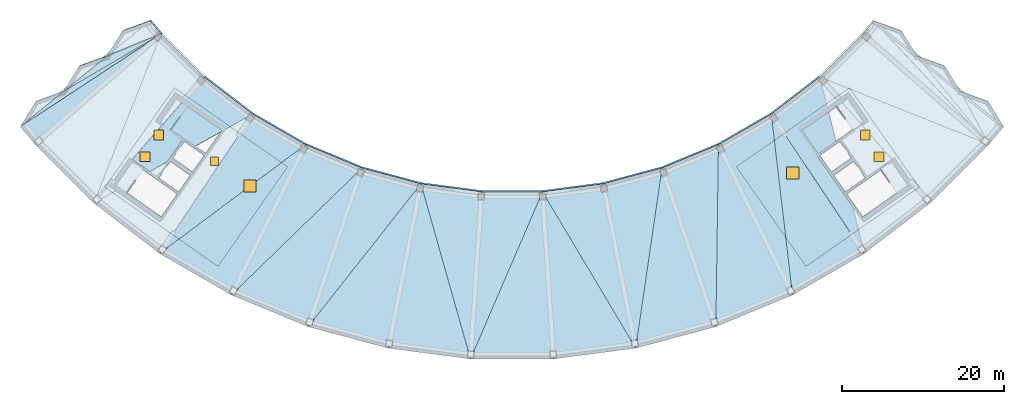
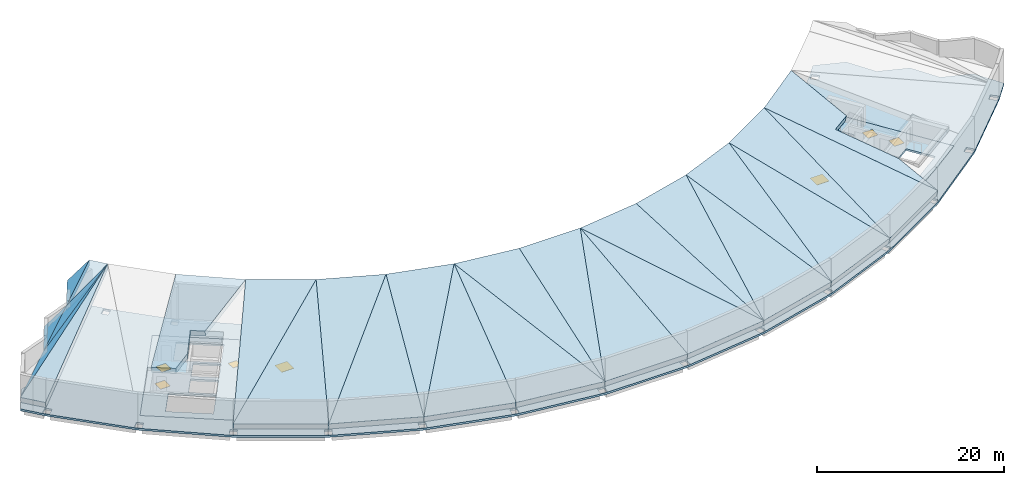
# One storey, part 2 of 6: 29 slabs, 7 doors, 7 openings.
"""IFC4 building model written with IfcOpenShell, lengths in metres."""

import ifcopenshell
import ifcopenshell.guid

model = None  # the IFC model being written
_history = None  # IfcOwnerHistory: only IFC2X3 demands one
_inside = {}  # id of a spatial element -> (the spatial element, [elements in it])
_under = {}  # id of a project, library or spatial element -> (it, [spatial elements below it])
_declared = {}  # id of a project -> (the project, [libraries it declares])
_typed = {}  # id of a type object -> (the type object, [elements of that type])
_made_of = {}  # id of a material, layer set ... -> (it, [elements and type objects made of it])


def new_model(schema):
    """Start an empty IFC model of exactly this schema.

    Asked for "IFC4X3", IfcOpenShell would pick the latest addendum, in which some entities
    have other attributes; the version numbers below select the first issue.
    IFC2X3 requires an IfcOwnerHistory on every rooted entity: one is made here for all.
    """
    global model, _history
    if schema == "IFC4X3":
        model = ifcopenshell.file(schema_version=(4, 3, 0, 0))
    else:
        model = ifcopenshell.file(schema=schema)
    _inside.clear()
    _under.clear()
    _declared.clear()
    _typed.clear()
    _made_of.clear()
    _history = None
    if model.schema == "IFC2X3":
        org = make("IfcOrganization", Name="unknown")
        user = make(
            "IfcPersonAndOrganization",
            ThePerson=make("IfcPerson", FamilyName="unknown"),
            TheOrganization=org,
        )
        app = make(
            "IfcApplication",
            ApplicationDeveloper=org,
            Version="unknown",
            ApplicationFullName="unknown",
            ApplicationIdentifier="unknown",
        )
        _history = make(
            "IfcOwnerHistory",
            OwningUser=user,
            OwningApplication=app,
            ChangeAction="ADDED",
            CreationDate=0,
        )
    return model


def make(cls, **values):
    """One entity of the class cls with the attributes given. An attribute that is None is left unset."""
    return model.create_entity(
        cls, **{name: value for name, value in values.items() if value is not None}
    )


def rooted(cls, **values):
    """An entity with a GlobalId (a new one), such as an element, a storey or a relation."""
    return make(cls, GlobalId=ifcopenshell.guid.new(), OwnerHistory=_history, **values)


def si_unit(unit_type, name, prefix=None):
    """IfcSIUnit, for example si_unit("LENGTHUNIT", "METRE", prefix="MILLI")."""
    return make("IfcSIUnit", UnitType=unit_type, Prefix=prefix, Name=name)


def assignment(units):
    """IfcUnitAssignment: the units of a project."""
    return None if units is None else make("IfcUnitAssignment", Units=units)


def point(xyz):
    """IfcCartesianPoint."""
    return None if xyz is None else make("IfcCartesianPoint", Coordinates=xyz)


def direction(xyz):
    """IfcDirection."""
    return None if xyz is None else make("IfcDirection", DirectionRatios=xyz)


def frame(location, z_axis=None, x_axis=None):
    """IfcAxis2Placement3D, a coordinate frame: its origin and axes. An axis left out is left unset."""
    return make(
        "IfcAxis2Placement3D",
        Location=point(location),
        Axis=direction(z_axis),
        RefDirection=direction(x_axis),
    )


def frame_2d(location, x_axis=None):
    """IfcAxis2Placement2D, a coordinate frame in the plane: its origin and x axis."""
    return make(
        "IfcAxis2Placement2D", Location=point(location), RefDirection=direction(x_axis)
    )


def origin():
    """The frame at (0, 0, 0) with its axes left unset."""
    return frame((0.0, 0.0, 0.0))


def origin_2d():
    """The frame at (0, 0) in the plane with its x axis left unset."""
    return frame_2d((0.0, 0.0))


def place(relative_to, where):
    """IfcLocalPlacement: puts the frame where relative to a parent placement (None: the world)."""
    return make(
        "IfcLocalPlacement", PlacementRelTo=relative_to, RelativePlacement=where
    )


def context(
    kind, dimensions, precision=None, world=None, true_north=None, identifier=None
):
    """IfcGeometricRepresentationContext, for example the 3D "Model" context."""
    return make(
        "IfcGeometricRepresentationContext",
        ContextIdentifier=identifier,
        ContextType=kind,
        CoordinateSpaceDimension=dimensions,
        Precision=precision,
        WorldCoordinateSystem=world,
        TrueNorth=true_north,
    )


def subcontext(parent, identifier, kind, view, scale=None):
    """IfcGeometricRepresentationSubContext, for example "Body" below "Model"."""
    return make(
        "IfcGeometricRepresentationSubContext",
        ContextIdentifier=identifier,
        ContextType=kind,
        ParentContext=parent,
        TargetScale=scale,
        TargetView=view,
    )


def project(units=None, contexts=None):
    """IfcProject with its units and contexts."""
    return rooted(
        "IfcProject",
        Name="project",
        RepresentationContexts=contexts,
        UnitsInContext=assignment(units),
    )


def spatial(cls, under=None, at=None, **own):
    """A site, building, storey or space (cls), placed at a placement, below another one or the project."""
    s = rooted(cls, ObjectPlacement=at, **own)
    if under is not None:
        _under.setdefault(under.id(), (under, []))[1].append(s)
    return s


def polyline(points):
    """IfcPolyline through the points."""
    return make("IfcPolyline", Points=[point(p) for p in points])


def profile(cls, at=None, kind="AREA", **sizes):
    """A parametric profile (cls). Its sizes go by their IFC names, for example OverallWidth=200.0."""
    return make(cls, ProfileType=kind, Position=at, **sizes)


def rectangle(**sizes):
    """IfcRectangleProfileDef."""
    return profile("IfcRectangleProfileDef", **sizes)


def outline(outer, holes=None, kind="AREA"):
    """IfcArbitraryClosedProfileDef: a profile drawn as a closed curve; with holes, ...WithVoids."""
    if holes is None:
        return make("IfcArbitraryClosedProfileDef", ProfileType=kind, OuterCurve=outer)
    return make(
        "IfcArbitraryProfileDefWithVoids",
        ProfileType=kind,
        OuterCurve=outer,
        InnerCurves=holes,
    )


def extrude(swept, where, along, depth):
    """IfcExtrudedAreaSolid: the profile swept, set in the frame where, extruded along a direction by depth."""
    return make(
        "IfcExtrudedAreaSolid",
        SweptArea=swept,
        Position=where,
        ExtrudedDirection=direction(along),
        Depth=depth,
    )


def shape(context_of_items, identifier, shape_type, items):
    """IfcShapeRepresentation: the items that make up one representation, for example the "Body"."""
    return make(
        "IfcShapeRepresentation",
        ContextOfItems=context_of_items,
        RepresentationIdentifier=identifier,
        RepresentationType=shape_type,
        Items=items,
    )


def material(Name=None, Category=None):
    """IfcMaterial."""
    return make("IfcMaterial", Name=Name, Category=Category)


def layer(
    of_material, thickness, ventilated=None, Name=None, Category=None, Priority=None
):
    """IfcMaterialLayer: one layer of a wall or slab, of a material (None: an air gap)."""
    return make(
        "IfcMaterialLayer",
        Material=of_material,
        LayerThickness=thickness,
        IsVentilated=ventilated,
        Name=Name,
        Category=Category,
        Priority=Priority,
    )


def layer_set(layers, Name=None):
    """IfcMaterialLayerSet."""
    return make("IfcMaterialLayerSet", MaterialLayers=layers, LayerSetName=Name)


def made_of(thing, what):
    """Note that an element or type object is made of a material, layer set ...; save() writes the relation."""
    if what is not None:
        _made_of.setdefault(what.id(), (what, []))[1].append(thing)
    return thing


def type_object(cls, material=None, **own):
    """A type object (cls), such as IfcWallType, which elements share."""
    return made_of(rooted(cls, **own), material)


def element(
    cls,
    number,
    at=None,
    inside=None,
    cuts=None,
    type_object=None,
    material=None,
    context=None,
    identifier="Body",
    shape_type=None,
    held_by="IfcProductDefinitionShape",
    body=None,
    shapes=None,
    **own,
):
    """One element of the class cls, such as IfcWall. Its Tag is "e" and its number.

    at: its placement. inside: the storey or other place that contains it. cuts: it is an
    opening in that element (IfcRelVoidsElement). A single representation is given by context,
    identifier, shape_type and body (its items); several are given by shapes. held_by: the class
    of the entity that holds the representations. save() writes the other relations.
    """
    e = rooted(cls, Tag="e%d" % number, ObjectPlacement=at, **own)
    if body is not None:
        shapes = [shape(context, identifier, shape_type, body)]
    if shapes is not None:
        e.Representation = make(held_by, Representations=shapes)
    if inside is not None:
        _inside.setdefault(inside.id(), (inside, []))[1].append(e)
    if cuts is not None:
        rooted(
            "IfcRelVoidsElement", RelatingBuildingElement=cuts, RelatedOpeningElement=e
        )
    if type_object is not None:
        _typed.setdefault(type_object.id(), (type_object, []))[1].append(e)
    return made_of(e, material)


def fill(opening, filler):
    """IfcRelFillsElement: the door or window that sits in an opening."""
    return rooted(
        "IfcRelFillsElement",
        RelatingOpeningElement=opening,
        RelatedBuildingElement=filler,
    )


def aggregate(whole, parts):
    """IfcRelAggregates: a whole, such as a stair, and the parts it consists of."""
    return rooted("IfcRelAggregates", RelatingObject=whole, RelatedObjects=parts)


def save(model, path):
    """Write the relations noted so far, then the file.

    IfcRelAggregates (storeys below a building ...), IfcRelContainedInSpatialStructure (elements
    in a storey), IfcRelDefinesByType, IfcRelAssociatesMaterial and IfcRelDeclares: one each for
    every whole, place, type object, material and project.
    """
    for whole, parts in _under.values():
        aggregate(whole, parts)
    for where, things in _inside.values():
        rooted(
            "IfcRelContainedInSpatialStructure",
            RelatedElements=things,
            RelatingStructure=where,
        )
    for kind, things in _typed.values():
        rooted("IfcRelDefinesByType", RelatedObjects=things, RelatingType=kind)
    for what, things in _made_of.values():
        rooted("IfcRelAssociatesMaterial", RelatedObjects=things, RelatingMaterial=what)
    for by, libraries in _declared.values():
        rooted("IfcRelDeclares", RelatingContext=by, RelatedDefinitions=libraries)
    model.write(path)


model = new_model("IFC4")

# Units and contexts
model_context = context("Model", 3, precision=1e-05, world=origin(), true_north=direction((0.0, 1.0)))
body_context = subcontext(model_context, "Body", "Model", "MODEL_VIEW")
ifc_project = project(units=[si_unit("LENGTHUNIT", "METRE"), si_unit("AREAUNIT", "SQUARE_METRE"), si_unit("VOLUMEUNIT", "CUBIC_METRE"), si_unit("PLANEANGLEUNIT", "RADIAN"), si_unit("MASSUNIT", "GRAM", prefix="KILO")], contexts=[model_context])

# Site, building, storey
site_placement = place(None, origin())
site = spatial("IfcSite", under=ifc_project, at=site_placement, CompositionType="ELEMENT")
building_placement = place(site_placement, origin())
building = spatial("IfcBuilding", under=site, at=building_placement, Name="Qamariyya Broadcast Tower", CompositionType="ELEMENT")
storey_placement = place(building_placement, frame((0.0, 0.0, 318.699951171875)))
storey = spatial("IfcBuildingStorey", under=building, at=storey_placement, Name="Roof", CompositionType="ELEMENT", Elevation=318.699951171875)

# Slab, openings, doors
ifc_material_1 = material(Name="Concrete C40/50", Category="concrete")
ifc_layer_1 = layer(ifc_material_1, 0.25)
ifc_layer_set_1 = layer_set([ifc_layer_1], Name="Core floor slab 250 mm Concrete C40/50")
slab_type_1 = type_object("IfcSlabType", Name="Core floor slab 250 mm Concrete C40/50", PredefinedType="FLOOR", material=ifc_layer_set_1)
slab_1_placement = place(storey_placement, frame((0.0, 0.0, -0.25)))
slab_1 = element("IfcSlab", 1, at=slab_1_placement, inside=storey, type_object=slab_type_1, Name="k-W-Roof-slab", PredefinedType="FLOOR", context=body_context, shape_type="SweptSolid", body=[
    extrude(outline(polyline([(-50.286376953125, -56.95751953125), (-36.32373046875, -66.734375), (-27.719970703125, -54.447021484375), (-41.6826171875, -44.67041015625), (-50.286376953125, -56.95751953125)]), holes=[polyline([(-39.742431640625, -55.489990234375), (-42.199951171875, -53.769287109375), (-43.6337890625, -55.817138671875), (-41.17626953125, -57.537841796875), (-39.742431640625, -55.489990234375)]), polyline([(-39.45556640625, -55.080322265625), (-41.9130859375, -53.359619140625), (-40.47900390625, -51.311767578125), (-38.021728515625, -53.032470703125), (-39.45556640625, -55.080322265625)]), polyline([(-42.06103515625, -49.837890625), (-37.849609375, -52.78662109375), (-35.870849609375, -49.960693359375), (-40.082275390625, -47.01171875), (-42.06103515625, -49.837890625)]), polyline([(-47.538818359375, -57.66064453125), (-43.3271484375, -60.609619140625), (-41.348388671875, -57.783447265625), (-45.559814453125, -54.834716796875), (-47.538818359375, -57.66064453125)])]), origin(), (0.0, 0.0, 1.0), 0.25),
])
opening_1_placement = place(slab_1_placement, frame((-32.37548828125, -56.802734375, 0.0)))
opening_1 = element("IfcOpeningElement", 2, at=opening_1_placement, cuts=slab_1, Name="Opening HT1-W1", PredefinedType="OPENING", context=body_context, shape_type="SweptSolid", body=[
    extrude(rectangle(XDim=1.5, YDim=1.5, at=origin_2d()), origin(), (0.0, 0.0, 1.0), 0.25),
])
opening_2_placement = place(slab_1_placement, frame((-36.737548828125, -53.74853515625, 0.0)))
opening_2 = element("IfcOpeningElement", 3, at=opening_2_placement, cuts=slab_1, Name="Opening HT2-W2", PredefinedType="OPENING", context=body_context, shape_type="SweptSolid", body=[
    extrude(rectangle(XDim=1.0, YDim=1.0, at=origin_2d()), origin(), (0.0, 0.0, 1.0), 0.25),
])
opening_3_placement = place(slab_1_placement, frame((-45.344482421875, -53.20947265625, 0.0)))
opening_3 = element("IfcOpeningElement", 4, at=opening_3_placement, cuts=slab_1, Name="Opening ED6", PredefinedType="OPENING", context=body_context, shape_type="SweptSolid", body=[
    extrude(rectangle(XDim=1.199951171875, YDim=1.199951171875, at=origin_2d()), origin(), (0.0, 0.0, 1.0), 0.25),
])
opening_4_placement = place(slab_1_placement, frame((-43.634521484375, -50.511962890625, 0.0)))
opening_4 = element("IfcOpeningElement", 5, at=opening_4_placement, cuts=slab_1, Name="Opening ED6", PredefinedType="OPENING", context=body_context, shape_type="SweptSolid", body=[
    extrude(rectangle(XDim=1.199951171875, YDim=1.199951171875, at=origin_2d()), origin(), (0.0, 0.0, 1.0), 0.25),
])
ifc_material_2 = material(Name="Galvanised steel", Category="steel")
door_type_1 = type_object("IfcDoorType", Name="Plant access hatch 1000 x 1000", OperationType="NOTDEFINED", PredefinedType="TRAPDOOR", material=ifc_material_2)
door_1_placement = place(opening_2_placement, frame((0.0, 0.0, 0.199951171875)))
door_1 = element("IfcDoor", 6, at=door_1_placement, inside=storey, type_object=door_type_1, Name="k-W-Roof-HT2", OperationType="SINGLE_SWING_LEFT", OverallHeight=1.0, OverallWidth=1.0, PredefinedType="TRAPDOOR", context=body_context, shape_type="SweptSolid", body=[
    extrude(rectangle(XDim=1.0, YDim=1.0, at=origin_2d()), origin(), (0.0, 0.0, 1.0), 0.050048828125),
])
fill(opening_2, door_1)
door_type_2 = type_object("IfcDoorType", Name="Plant access hatch 1500 x 1500", OperationType="NOTDEFINED", PredefinedType="TRAPDOOR", material=ifc_material_2)
door_2_placement = place(opening_1_placement, frame((0.0, 0.0, 0.199951171875)))
door_2 = element("IfcDoor", 7, at=door_2_placement, inside=storey, type_object=door_type_2, Name="k-W-Roof-HT1", OperationType="SINGLE_SWING_LEFT", OverallHeight=1.5, OverallWidth=1.5, PredefinedType="TRAPDOOR", context=body_context, shape_type="SweptSolid", body=[
    extrude(rectangle(XDim=1.5, YDim=1.5, at=origin_2d()), origin(), (0.0, 0.0, 1.0), 0.050048828125),
])
fill(opening_1, door_2)
door_type_3 = type_object("IfcDoorType", Name="Roof access hatch 1200 x 1200", OperationType="NOTDEFINED", PredefinedType="TRAPDOOR", material=ifc_material_2)
door_3_placement = place(opening_3_placement, frame((0.0, 0.0, 0.199951171875)))
door_3 = element("IfcDoor", 8, at=door_3_placement, inside=storey, type_object=door_type_3, Name="e-ed-Roof-hatch2", OperationType="SINGLE_SWING_LEFT", OverallHeight=1.199951171875, OverallWidth=1.199951171875, PredefinedType="TRAPDOOR", context=body_context, shape_type="SweptSolid", body=[
    extrude(rectangle(XDim=1.199951171875, YDim=1.199951171875, at=origin_2d()), origin(), (0.0, 0.0, 1.0), 0.050048828125),
])
fill(opening_3, door_3)
door_4_placement = place(opening_4_placement, frame((0.0, 0.0, 0.199951171875)))
door_4 = element("IfcDoor", 9, at=door_4_placement, inside=storey, type_object=door_type_3, Name="e-ed-Roof-hatch3", OperationType="SINGLE_SWING_LEFT", OverallHeight=1.199951171875, OverallWidth=1.199951171875, PredefinedType="TRAPDOOR", context=body_context, shape_type="SweptSolid", body=[
    extrude(rectangle(XDim=1.199951171875, YDim=1.199951171875, at=origin_2d()), origin(), (0.0, 0.0, 1.0), 0.050048828125),
])
fill(opening_4, door_4)

slab_2_placement = place(storey_placement, frame((0.0, 0.0, -0.25)))
slab_2 = element("IfcSlab", 10, at=slab_2_placement, inside=storey, type_object=slab_type_1, Name="k-E-Roof-slab", PredefinedType="FLOOR", context=body_context, shape_type="SweptSolid", body=[
    extrude(outline(polyline([(36.32373046875, -66.734375), (50.286376953125, -56.95751953125), (41.6826171875, -44.67041015625), (27.719970703125, -54.447021484375), (36.32373046875, -66.734375)]), holes=[polyline([(39.742431640625, -55.489990234375), (42.199951171875, -53.769287109375), (43.6337890625, -55.817138671875), (41.17626953125, -57.537841796875), (39.742431640625, -55.489990234375)]), polyline([(39.45556640625, -55.080322265625), (41.9130859375, -53.359619140625), (40.47900390625, -51.311767578125), (38.021728515625, -53.032470703125), (39.45556640625, -55.080322265625)]), polyline([(40.082275390625, -47.01171875), (35.870849609375, -49.960693359375), (37.849609375, -52.78662109375), (42.06103515625, -49.837890625), (40.082275390625, -47.01171875)]), polyline([(45.559814453125, -54.834716796875), (41.348388671875, -57.783447265625), (43.3271484375, -60.609619140625), (47.538818359375, -57.66064453125), (45.559814453125, -54.834716796875)])]), origin(), (0.0, 0.0, 1.0), 0.25),
])
opening_5_placement = place(slab_2_placement, frame((34.679443359375, -55.189697265625, 0.0)))
opening_5 = element("IfcOpeningElement", 11, at=opening_5_placement, cuts=slab_2, Name="Opening HT1-E1", PredefinedType="OPENING", context=body_context, shape_type="SweptSolid", body=[
    extrude(rectangle(XDim=1.5, YDim=1.5, at=origin_2d()), origin(), (0.0, 0.0, 1.0), 0.25),
])
opening_6_placement = place(slab_2_placement, frame((43.634521484375, -50.511962890625, 0.0)))
opening_6 = element("IfcOpeningElement", 12, at=opening_6_placement, cuts=slab_2, Name="Opening ED6", PredefinedType="OPENING", context=body_context, shape_type="SweptSolid", body=[
    extrude(rectangle(XDim=1.199951171875, YDim=1.199951171875, at=origin_2d()), origin(), (0.0, 0.0, 1.0), 0.25),
])
opening_7_placement = place(slab_2_placement, frame((45.344482421875, -53.20947265625, 0.0)))
opening_7 = element("IfcOpeningElement", 13, at=opening_7_placement, cuts=slab_2, Name="Opening ED6", PredefinedType="OPENING", context=body_context, shape_type="SweptSolid", body=[
    extrude(rectangle(XDim=1.199951171875, YDim=1.199951171875, at=origin_2d()), origin(), (0.0, 0.0, 1.0), 0.25),
])
door_5_placement = place(opening_5_placement, frame((0.0, 0.0, 0.199951171875)))
door_5 = element("IfcDoor", 14, at=door_5_placement, inside=storey, type_object=door_type_2, Name="k-E-Roof-HT1", OperationType="SINGLE_SWING_LEFT", OverallHeight=1.5, OverallWidth=1.5, PredefinedType="TRAPDOOR", context=body_context, shape_type="SweptSolid", body=[
    extrude(rectangle(XDim=1.5, YDim=1.5, at=origin_2d()), origin(), (0.0, 0.0, 1.0), 0.050048828125),
])
fill(opening_5, door_5)
door_6_placement = place(opening_6_placement, frame((0.0, 0.0, 0.199951171875)))
door_6 = element("IfcDoor", 15, at=door_6_placement, inside=storey, type_object=door_type_3, Name="e-ed-Roof-hatch0", OperationType="SINGLE_SWING_LEFT", OverallHeight=1.199951171875, OverallWidth=1.199951171875, PredefinedType="TRAPDOOR", context=body_context, shape_type="SweptSolid", body=[
    extrude(rectangle(XDim=1.199951171875, YDim=1.199951171875, at=origin_2d()), origin(), (0.0, 0.0, 1.0), 0.050048828125),
])
fill(opening_6, door_6)
door_7_placement = place(opening_7_placement, frame((0.0, 0.0, 0.199951171875)))
door_7 = element("IfcDoor", 16, at=door_7_placement, inside=storey, type_object=door_type_3, Name="e-ed-Roof-hatch1", OperationType="SINGLE_SWING_LEFT", OverallHeight=1.199951171875, OverallWidth=1.199951171875, PredefinedType="TRAPDOOR", context=body_context, shape_type="SweptSolid", body=[
    extrude(rectangle(XDim=1.199951171875, YDim=1.199951171875, at=origin_2d()), origin(), (0.0, 0.0, 1.0), 0.050048828125),
])
fill(opening_7, door_7)

# Slabs
ifc_layer_2 = layer(ifc_material_1, 0.25)
ifc_layer_set_2 = layer_set([ifc_layer_2], Name="Post-tensioned floor slab 250 C40/50")
slab_type_2 = type_object("IfcSlabType", Name="Post-tensioned floor slab 250 C40/50", PredefinedType="FLOOR", material=ifc_layer_set_2)
slab_3_placement = place(storey_placement, frame((0.0, 0.0, -0.25)))
element("IfcSlab", 17, at=slab_3_placement, inside=storey, type_object=slab_type_2, Name="Floor slab S5 Roof", PredefinedType="FLOOR", context=body_context, shape_type="SweptSolid", body=[
    extrude(outline(polyline([(-58.822509765625, -46.367431640625), (-60.746826171875, -49.482666015625), (-58.90673828125, -51.65966796875), (-51.65966796875, -58.90673828125), (-43.52880859375, -65.145751953125), (-34.6533203125, -70.27001953125), (-25.184814453125, -74.19189453125), (-15.285400390625, -76.844482421875), (-5.124267578125, -78.18212890625), (5.124267578125, -78.18212890625), (15.285400390625, -76.844482421875), (25.184814453125, -74.19189453125), (34.6533203125, -70.27001953125), (43.52880859375, -65.145751953125), (51.65966796875, -58.90673828125), (58.90673828125, -51.65966796875), (60.746826171875, -49.482666015625), (58.822509765625, -46.367431640625), (55.397216796875, -45.125), (53.471923828125, -42.009033203125), (50.04736328125, -40.76708984375), (48.12109375, -37.650634765625), (44.697509765625, -36.409423828125), (43.343505859375, -38.01123046875), (38.01123046875, -43.343505859375), (32.028564453125, -47.934326171875), (25.498046875, -51.704833984375), (18.531005859375, -54.590576171875), (11.2470703125, -56.542236328125), (3.7705078125, -57.526611328125), (-3.7705078125, -57.526611328125), (-11.2470703125, -56.542236328125), (-18.531005859375, -54.590576171875), (-25.498046875, -51.704833984375), (-32.028564453125, -47.934326171875), (-38.01123046875, -43.343505859375), (-43.343505859375, -38.01123046875), (-44.697509765625, -36.409423828125), (-48.12109375, -37.650634765625), (-50.04736328125, -40.76708984375), (-53.471923828125, -42.009033203125), (-55.397216796875, -45.125), (-58.822509765625, -46.367431640625)]), holes=[polyline([(-4.71533203125, -78.058837890625), (-5.513671875, -78.00634765625), (-5.454833984375, -77.1083984375), (-4.656494140625, -77.16064453125), (-4.71533203125, -78.058837890625)]), polyline([(-15.6484375, -76.619384765625), (-15.472900390625, -75.736572265625), (-14.688232421875, -75.892822265625), (-14.86376953125, -76.775390625), (-15.6484375, -76.619384765625)]), polyline([(-25.515380859375, -73.92138671875), (-25.22607421875, -73.069091796875), (-24.468505859375, -73.326171875), (-24.7578125, -74.178466796875), (-25.515380859375, -73.92138671875)]), polyline([(-34.94580078125, -69.95849609375), (-34.547607421875, -69.1513671875), (-33.830078125, -69.505126953125), (-34.228271484375, -70.312255859375), (-34.94580078125, -69.95849609375)]), polyline([(-43.778076171875, -64.798583984375), (-43.278076171875, -64.05029296875), (-42.613037109375, -64.494873046875), (-43.113037109375, -65.2431640625), (-43.778076171875, -64.798583984375)]), polyline([(-51.861572265625, -58.530029296875), (-51.26806640625, -57.853515625), (-50.666748046875, -58.380859375), (-51.260009765625, -59.0576171875), (-51.861572265625, -58.530029296875)]), polyline([(-4.23828125, -58.548095703125), (-4.179443359375, -57.650146484375), (-3.381103515625, -57.702392578125), (-3.43994140625, -58.6005859375), (-4.23828125, -58.548095703125)]), polyline([(-11.843994140625, -57.494140625), (-11.66845703125, -56.611328125), (-10.8837890625, -56.767333984375), (-11.0595703125, -57.650146484375), (-11.843994140625, -57.494140625)]), polyline([(-50.286376953125, -56.95751953125), (-41.6826171875, -44.67041015625), (-27.719970703125, -54.447021484375), (-36.32373046875, -66.734375), (-50.286376953125, -56.95751953125)]), polyline([(-19.247314453125, -55.456298828125), (-18.9580078125, -54.60400390625), (-18.200439453125, -54.861083984375), (-18.48974609375, -55.71337890625), (-19.247314453125, -55.456298828125)]), polyline([(-26.321044921875, -52.469482421875), (-25.923095703125, -51.662353515625), (-25.20556640625, -52.01611328125), (-25.603515625, -52.8232421875), (-26.321044921875, -52.469482421875)]), polyline([(-59.0576171875, -51.260009765625), (-58.380859375, -50.666748046875), (-57.853515625, -51.26806640625), (-58.530029296875, -51.861572265625), (-59.0576171875, -51.260009765625)]), polyline([(-32.944580078125, -48.5849609375), (-32.444580078125, -47.836669921875), (-31.779296875, -48.28125), (-32.279296875, -49.029541015625), (-32.944580078125, -48.5849609375)]), polyline([(-39.00439453125, -43.869140625), (-38.410888671875, -43.192626953125), (-37.8095703125, -43.719970703125), (-38.40283203125, -44.396728515625), (-39.00439453125, -43.869140625)]), polyline([(-44.396728515625, -38.40283203125), (-43.719970703125, -37.8095703125), (-43.192626953125, -38.410888671875), (-43.869140625, -39.00439453125), (-44.396728515625, -38.40283203125)]), polyline([(5.513671875, -78.00634765625), (4.71533203125, -78.058837890625), (4.656494140625, -77.16064453125), (5.454833984375, -77.1083984375), (5.513671875, -78.00634765625)]), polyline([(14.86376953125, -76.775390625), (14.688232421875, -75.892822265625), (15.472900390625, -75.736572265625), (15.6484375, -76.619384765625), (14.86376953125, -76.775390625)]), polyline([(24.7578125, -74.178466796875), (24.468505859375, -73.326171875), (25.22607421875, -73.069091796875), (25.515380859375, -73.92138671875), (24.7578125, -74.178466796875)]), polyline([(34.228271484375, -70.312255859375), (33.830078125, -69.505126953125), (34.547607421875, -69.1513671875), (34.94580078125, -69.95849609375), (34.228271484375, -70.312255859375)]), polyline([(43.113037109375, -65.2431640625), (42.613037109375, -64.494873046875), (43.278076171875, -64.05029296875), (43.778076171875, -64.798583984375), (43.113037109375, -65.2431640625)]), polyline([(51.260009765625, -59.0576171875), (50.666748046875, -58.380859375), (51.26806640625, -57.853515625), (51.861572265625, -58.530029296875), (51.260009765625, -59.0576171875)]), polyline([(3.43994140625, -58.6005859375), (3.381103515625, -57.702392578125), (4.179443359375, -57.650146484375), (4.23828125, -58.548095703125), (3.43994140625, -58.6005859375)]), polyline([(11.0595703125, -57.650146484375), (10.8837890625, -56.767333984375), (11.66845703125, -56.611328125), (11.843994140625, -57.494140625), (11.0595703125, -57.650146484375)]), polyline([(36.32373046875, -66.734375), (27.719970703125, -54.447021484375), (41.6826171875, -44.67041015625), (50.286376953125, -56.95751953125), (36.32373046875, -66.734375)]), polyline([(18.48974609375, -55.71337890625), (18.200439453125, -54.861083984375), (18.9580078125, -54.60400390625), (19.247314453125, -55.456298828125), (18.48974609375, -55.71337890625)]), polyline([(25.603515625, -52.8232421875), (25.20556640625, -52.01611328125), (25.923095703125, -51.662353515625), (26.321044921875, -52.469482421875), (25.603515625, -52.8232421875)]), polyline([(58.530029296875, -51.861572265625), (57.853515625, -51.26806640625), (58.380859375, -50.666748046875), (59.0576171875, -51.260009765625), (58.530029296875, -51.861572265625)]), polyline([(32.279296875, -49.029541015625), (31.779296875, -48.28125), (32.444580078125, -47.836669921875), (32.944580078125, -48.5849609375), (32.279296875, -49.029541015625)]), polyline([(38.40283203125, -44.396728515625), (37.8095703125, -43.719970703125), (38.410888671875, -43.192626953125), (39.00439453125, -43.869140625), (38.40283203125, -44.396728515625)]), polyline([(43.869140625, -39.00439453125), (43.192626953125, -38.410888671875), (43.719970703125, -37.8095703125), (44.396728515625, -38.40283203125), (43.869140625, -39.00439453125)])]), origin(), (0.0, 0.0, 1.0), 0.25),
])
ifc_material_3 = material(Name="Concrete C50/60", Category="concrete")
ifc_layer_3 = layer(ifc_material_3, 0.800048828125)
ifc_layer_set_3 = layer_set([ifc_layer_3], Name="Roof slab 800 C50/60")
slab_type_3 = type_object("IfcSlabType", Name="Roof slab 800 C50/60", PredefinedType="ROOF", material=ifc_layer_set_3)
slab_4_placement = place(storey_placement, frame((-53.471923828125, -42.009033203125, 3.699951171875), z_axis=(-0.162405495177, -0.129801198092, 0.97814932608), x_axis=(-0.515412535454, -0.834163097896, -0.19626982551)))
element("IfcSlab", 18, at=slab_4_placement, inside=storey, type_object=slab_type_3, Name="Sloped roof slab S1 facet 2", PredefinedType="ROOF", context=body_context, shape_type="SweptSolid", body=[
    extrude(outline(polyline([(0.0, 0.0), (3.735440712656528, -1.734723475976807e-16), (-2.9449887377064217, 2.266043435157023), (0.0, 0.0)])), origin(), (0.0, 0.0, -1.0), 0.800048828125),
])
slab_5_placement = place(storey_placement, frame((-48.12109375, -37.650634765625, 5.166748046875), z_axis=(-0.162408412337, -0.129804575089, 0.978148393593), x_axis=(-0.515541667173, -0.834079769514, -0.196284812191)))
element("IfcSlab", 19, at=slab_5_placement, inside=storey, type_object=slab_type_3, Name="Sloped roof slab S1 facet 3", PredefinedType="ROOF", context=body_context, shape_type="SweptSolid", body=[
    extrude(outline(polyline([(0.0, 0.0), (3.736399313392593, -1.249000902703301e-16), (-2.944176181147874, 2.265143202278043), (0.0, 0.0)])), origin(), (0.0, 0.0, -1.0), 0.800048828125),
])
slab_6_placement = place(storey_placement, frame((-60.746826171875, -49.482666015625, 1.5), z_axis=(-0.15881237007, -0.134234477202, 0.978140959291), x_axis=(0.645535170097, -0.763730544216, 0.0)))
element("IfcSlab", 20, at=slab_6_placement, inside=storey, type_object=slab_type_3, Name="Sloped roof slab S1 facet 4", PredefinedType="ROOF", context=body_context, shape_type="SweptSolid", body=[
    extrude(outline(polyline([(0.0, 0.0), (2.850484335886592, 0.0), (2.4733696250297204, 21.1591818069154), (0.0, 0.0)])), origin(), (0.0, 0.0, -1.0), 0.800048828125),
])
slab_7_placement = place(storey_placement, frame((-43.343505859375, -38.01123046875, 5.89990234375), z_axis=(-0.158799763851, -0.134233118476, 0.978143192434), x_axis=(-0.645561248047, 0.763708501341, 0.0)))
element("IfcSlab", 21, at=slab_7_placement, inside=storey, type_object=slab_type_3, Name="Sloped roof slab S1 facet 5", PredefinedType="ROOF", context=body_context, shape_type="SweptSolid", body=[
    extrude(outline(polyline([(0.0, 0.0), (2.0974058005285023, -2.220446049250313e-16), (2.223077330807058, 7.053025544513394), (0.0, 0.0)])), origin(), (0.0, 0.0, -1.0), 0.800048828125),
])
slab_8_placement = place(storey_placement, frame((-43.343505859375, -38.01123046875, 5.89990234375), z_axis=(-0.158806170971, -0.134218077447, 0.978144216232), x_axis=(-0.90652911684, -0.372661082738, -0.198314592842)))
element("IfcSlab", 22, at=slab_8_placement, inside=storey, type_object=slab_type_3, Name="Sloped roof slab S1 facet 6", PredefinedType="ROOF", context=body_context, shape_type="SweptSolid", body=[
    extrude(outline(polyline([(0.0, 0.0), (7.395082295032741, -2.7755575615628914e-17), (14.159742603475909, 2.000615256032117), (0.0, 0.0)])), origin(), (0.0, 0.0, -1.0), 0.800048828125),
])
slab_9_placement = place(storey_placement, frame((-60.746826171875, -49.482666015625, 1.5), z_axis=(-0.15865193277, -0.134475181535, 0.978133932434), x_axis=(0.816932577987, 0.538482843862, 0.206536655077)))
element("IfcSlab", 23, at=slab_9_placement, inside=storey, type_object=slab_type_3, Name="Sloped roof slab S1 facet 7", PredefinedType="ROOF", context=body_context, shape_type="SweptSolid", body=[
    extrude(outline(polyline([(0.0, 0.0), (21.303251677622345, -9.020562075079397e-16), (7.019745886874671, 0.6944309361173766), (0.0, 0.0)])), origin(), (0.0, 0.0, -1.0), 0.800048828125),
])
slab_10_placement = place(storey_placement, frame((-32.028564453125, -47.93408203125, 5.89990234375), z_axis=(-0.126827324165, -0.165274121569, 0.978058942286), x_axis=(-0.793369211678, 0.608740744337, -1.2067175e-05)))
element("IfcSlab", 24, at=slab_10_placement, inside=storey, type_object=slab_type_3, Name="Sloped roof slab S1 facet 12", PredefinedType="ROOF", context=body_context, shape_type="SweptSolid", body=[
    extrude(outline(polyline([(0.0, 0.0), (7.54112747000667, -8.881784197001252e-16), (8.425792050121556, 13.79644328994458), (5.761229752846541, 13.67789842366528), (4.803343467760288, 11.40362016493516), (4.948371572277622, 8.012714444581738), (3.3448912773855373, 7.941258393801906), (0.0, 0.0)])), origin(), (0.0, 0.0, -1.0), 0.800048828125),
])
slab_11_placement = place(storey_placement, frame((-43.52880859375, -65.145751953125, 1.5), z_axis=(-0.104168404346, -0.180424897403, 0.97805715576), x_axis=(0.866025318025, -0.50000014854, 0.0)))
element("IfcSlab", 25, at=slab_11_placement, inside=storey, type_object=slab_type_3, Name="Sloped roof slab S1 facet 13", PredefinedType="ROOF", context=body_context, shape_type="SweptSolid", body=[
    extrude(outline(polyline([(0.0, 0.0), (10.248532111616235, 0.0), (8.894513100472548, 21.11918521981607), (0.0, 0.0)])), origin(), (0.0, 0.0, -1.0), 0.800048828125),
])
slab_12_placement = place(storey_placement, frame((-43.52880859375, -65.145751953125, 1.5), z_axis=(-0.104166289565, -0.18042764227, 0.978056874636), x_axis=(0.786827786569, 0.586546480753, 0.192003281739)))
element("IfcSlab", 26, at=slab_12_placement, inside=storey, type_object=slab_type_3, Name="Sloped roof slab S1 facet 14", PredefinedType="ROOF", context=body_context, shape_type="SweptSolid", body=[
    extrude(outline(polyline([(0.0, 0.0), (22.9157663551402, -1.4988010832439613e-15), (19.988808552244127, 6.949493939397727), (0.0, 0.0)])), origin(), (0.0, 0.0, -1.0), 0.800048828125),
])
slab_13_placement = place(storey_placement, frame((-34.6533203125, -70.27001953125, 1.5), z_axis=(-0.079725868424, -0.192480599793, 0.978056749175), x_axis=(0.923883276933, -0.382674392405, 0.0)))
element("IfcSlab", 27, at=slab_13_placement, inside=storey, type_object=slab_type_3, Name="Sloped roof slab S1 facet 15", PredefinedType="ROOF", context=body_context, shape_type="SweptSolid", body=[
    extrude(outline(polyline([(0.0, 0.0), (10.248595353737198, 0.0), (8.895015247900195, 21.118991731601486), (0.0, 0.0)])), origin(), (0.0, 0.0, -1.0), 0.800048828125),
])
slab_14_placement = place(storey_placement, frame((-34.6533203125, -70.27001953125, 1.5), z_axis=(-0.079730235928, -0.192476249275, 0.978057249318), x_axis=(0.703546306545, 0.684220277197, 0.192003142732)))
element("IfcSlab", 28, at=slab_14_placement, inside=storey, type_object=slab_type_3, Name="Sloped roof slab S1 facet 16", PredefinedType="ROOF", context=body_context, shape_type="SweptSolid", body=[
    extrude(outline(polyline([(0.0, 0.0), (22.91578294581769, -3.0531133177191805e-15), (19.98879733714135, 6.949916031588225), (0.0, 0.0)])), origin(), (0.0, 0.0, -1.0), 0.800048828125),
])
slab_15_placement = place(storey_placement, frame((-25.184814453125, -74.19189453125, 1.5), z_axis=(-0.053922715221, -0.20123867987, 0.978056917826), x_axis=(0.965924658148, -0.258823404626, 0.0)))
element("IfcSlab", 29, at=slab_15_placement, inside=storey, type_object=slab_type_3, Name="Sloped roof slab S1 facet 17", PredefinedType="ROOF", context=body_context, shape_type="SweptSolid", body=[
    extrude(outline(polyline([(0.0, 0.0), (10.24863997310439, 0.0), (8.894666117765675, 21.11907198966546), (0.0, 0.0)])), origin(), (0.0, 0.0, -1.0), 0.800048828125),
])
slab_16_placement = place(storey_placement, frame((-11.2470703125, -56.542236328125, 5.89990234375), z_axis=(-0.0539204283, -0.201240427611, 0.978056684302), x_axis=(-0.965927964314, 0.258811065753, 0.0)))
element("IfcSlab", 30, at=slab_16_placement, inside=storey, type_object=slab_type_3, Name="Sloped roof slab S1 facet 18", PredefinedType="ROOF", context=body_context, shape_type="SweptSolid", body=[
    extrude(outline(polyline([(0.0, 0.0), (7.540868280014111, 0.0), (8.894929975166153, 21.11896085957099), (0.0, 0.0)])), origin(), (0.0, 0.0, -1.0), 0.800048828125),
])
slab_17_placement = place(storey_placement, frame((-11.2470703125, -56.542236328125, 5.89990234375), z_axis=(-0.02719171055, -0.206555757091, 0.978056915568), x_axis=(-0.190825442201, -0.959353250863, -0.207911016223)))
element("IfcSlab", 31, at=slab_17_placement, inside=storey, type_object=slab_type_3, Name="Sloped roof slab S1 facet 19", PredefinedType="ROOF", context=body_context, shape_type="SweptSolid", body=[
    extrude(outline(polyline([(0.0, 0.0), (21.16243008034788, -3.5388358909926865e-16), (20.506702921433025, 10.22780230760677), (0.0, 0.0)])), origin(), (0.0, 0.0, -1.0), 0.800048828125),
])
slab_18_placement = place(storey_placement, frame((-5.124267578125, -78.18212890625, 1.5), z_axis=(-0.027195563713, -0.206556781534, 0.978056592083), x_axis=(0.063970403361, 0.976053377162, 0.207912463368)))
element("IfcSlab", 32, at=slab_18_placement, inside=storey, type_object=slab_type_3, Name="Sloped roof slab S1 facet 20", PredefinedType="ROOF", context=body_context, shape_type="SweptSolid", body=[
    extrude(outline(polyline([(0.0, 0.0), (21.16228278229437, -8.326672684688674e-17), (21.644806606559182, 7.525632977766596), (0.0, 0.0)])), origin(), (0.0, 0.0, -1.0), 0.800048828125),
])
slab_19_placement = place(storey_placement, frame((-5.124267578125, -78.18212890625, 1.5), z_axis=(0.0, -0.208339184482, 0.978056636504), x_axis=(1.0, 0.0, 0.0)))
element("IfcSlab", 33, at=slab_19_placement, inside=storey, type_object=slab_type_3, Name="Sloped roof slab S1 facet 21", PredefinedType="ROOF", context=body_context, shape_type="SweptSolid", body=[
    extrude(outline(polyline([(0.0, 0.0), (10.24853515625, 0.0), (8.894775390625, 21.118938113805996), (0.0, 0.0)])), origin(), (0.0, 0.0, -1.0), 0.800048828125),
])
slab_20_placement = place(storey_placement, frame((-5.124267578125, -78.18212890625, 1.5), z_axis=(0.0, -0.208339184482, 0.978056636504), x_axis=(0.388153035387, 0.901372040702, 0.19200433683)))
element("IfcSlab", 34, at=slab_20_placement, inside=storey, type_object=slab_type_3, Name="Sloped roof slab S1 facet 22", PredefinedType="ROOF", context=body_context, shape_type="SweptSolid", body=[
    extrude(outline(polyline([(0.0, 0.0), (22.91564042972476, -1.2212453270876722e-15), (19.988572324983412, 6.9497617920832395), (0.0, 0.0)])), origin(), (0.0, 0.0, -1.0), 0.800048828125),
])
slab_21_placement = place(storey_placement, frame((3.7705078125, -57.526611328125, 5.89990234375), z_axis=(0.027191878587, -0.206557033546, 0.978056641321), x_axis=(0.063970403361, -0.976053377162, -0.207912463368)))
element("IfcSlab", 35, at=slab_21_placement, inside=storey, type_object=slab_type_3, Name="Sloped roof slab S1 facet 23", PredefinedType="ROOF", context=body_context, shape_type="SweptSolid", body=[
    extrude(outline(polyline([(0.0, 0.0), (21.16228278229437, -1.249000902703301e-16), (20.506680178392003, 10.227810292344172), (0.0, 0.0)])), origin(), (0.0, 0.0, -1.0), 0.800048828125),
])
slab_22_placement = place(storey_placement, frame((15.285400390625, -76.844482421875, 1.5), z_axis=(0.02719533531, -0.206555046758, 0.978056964801), x_axis=(-0.190825442201, 0.959353250863, 0.207911016223)))
element("IfcSlab", 36, at=slab_22_placement, inside=storey, type_object=slab_type_3, Name="Sloped roof slab S1 facet 24", PredefinedType="ROOF", context=body_context, shape_type="SweptSolid", body=[
    extrude(outline(polyline([(0.0, 0.0), (21.16243008034788, 4.649058915617843e-16), (21.64478506923338, 7.5256438011460896), (0.0, 0.0)])), origin(), (0.0, 0.0, -1.0), 0.800048828125),
])
slab_23_placement = place(storey_placement, frame((15.285400390625, -76.844482421875, 1.5), z_axis=(0.053922955777, -0.20123957762, 0.978056719848), x_axis=(0.965924658148, 0.258823404626, 0.0)))
element("IfcSlab", 37, at=slab_23_placement, inside=storey, type_object=slab_type_3, Name="Sloped roof slab S1 facet 25", PredefinedType="ROOF", context=body_context, shape_type="SweptSolid", body=[
    extrude(outline(polyline([(0.0, 0.0), (10.24863997310439, 4.440892098500626e-16), (8.894842134737573, 21.11897777533759), (0.0, 0.0)])), origin(), (0.0, 0.0, -1.0), 0.800048828125),
])
slab_24_placement = place(storey_placement, frame((15.285400390625, -76.844482421875, 1.5), z_axis=(0.053920101381, -0.201239207493, 0.97805695337), x_axis=(0.141632376913, 0.971120386672, 0.192003813505)))
element("IfcSlab", 38, at=slab_24_placement, inside=storey, type_object=slab_type_3, Name="Sloped roof slab S1 facet 26", PredefinedType="ROOF", context=body_context, shape_type="SweptSolid", body=[
    extrude(outline(polyline([(0.0, 0.0), (22.915702888567605, -2.7755575615628914e-16), (19.988764818190116, 6.949656678476852), (0.0, 0.0)])), origin(), (0.0, 0.0, -1.0), 0.800048828125),
])
slab_25_placement = place(storey_placement, frame((25.184814453125, -74.19189453125, 1.5), z_axis=(0.079725106653, -0.192478760665, 0.978057173207), x_axis=(0.923883276933, 0.382674392405, 0.0)))
element("IfcSlab", 39, at=slab_25_placement, inside=storey, type_object=slab_type_3, Name="Sloped roof slab S1 facet 27", PredefinedType="ROOF", context=body_context, shape_type="SweptSolid", body=[
    extrude(outline(polyline([(0.0, 0.0), (10.248595353737198, 0.0), (8.894705854487409, 21.119193522842142), (0.0, 0.0)])), origin(), (0.0, 0.0, -1.0), 0.800048828125),
])
slab_26_placement = place(storey_placement, frame((25.184814453125, -74.19189453125, 1.5), z_axis=(0.079731271264, -0.192478748672, 0.978056673047), x_axis=(0.013668811672, 0.981299224867, 0.192002590769)))
element("IfcSlab", 40, at=slab_26_placement, inside=storey, type_object=slab_type_3, Name="Sloped roof slab S1 facet 28", PredefinedType="ROOF", context=body_context, shape_type="SweptSolid", body=[
    extrude(outline(polyline([(0.0, 0.0), (22.915848823316797, -5.551115123125783e-17), (19.988601504994516, 6.949805805697053), (0.0, 0.0)])), origin(), (0.0, 0.0, -1.0), 0.800048828125),
])
slab_27_placement = place(storey_placement, frame((34.6533203125, -70.27001953125, 1.5), z_axis=(0.104168963778, -0.180425866367, 0.978056917429), x_axis=(0.866025318025, 0.50000014854, 0.0)))
element("IfcSlab", 41, at=slab_27_placement, inside=storey, type_object=slab_type_3, Name="Sloped roof slab S1 facet 29", PredefinedType="ROOF", context=body_context, shape_type="SweptSolid", body=[
    extrude(outline(polyline([(0.0, 0.0), (10.248532111616235, 8.881784197001252e-16), (8.894744969578486, 21.119071800769248), (0.0, 0.0)])), origin(), (0.0, 0.0, -1.0), 0.800048828125),
])
slab_28_placement = place(storey_placement, frame((32.028564453125, -47.934326171875, 5.89990234375), z_axis=(0.104165529266, -0.180426325348, 0.978057198549), x_axis=(-0.86603300708, -0.499986830474, 0.0)))
element("IfcSlab", 42, at=slab_28_placement, inside=storey, type_object=slab_type_3, Name="Sloped roof slab S1 facet 30", PredefinedType="ROOF", context=body_context, shape_type="SweptSolid", body=[
    extrude(outline(polyline([(0.0, 0.0), (7.540725959326462, 0.0), (8.894427319441661, 21.1192055830483), (0.0, 0.0)])), origin(), (0.0, 0.0, -1.0), 0.800048828125),
])
slab_29_placement = place(storey_placement, frame((32.028564453125, -47.93408203125, 5.89990234375), z_axis=(0.126804652263, -0.165288706741, 0.978059417208), x_axis=(0.543437006558, -0.813297910996, -0.207900764483)))
element("IfcSlab", 43, at=slab_29_placement, inside=storey, type_object=slab_type_3, Name="Sloped roof slab S1 facet 33", PredefinedType="ROOF", context=body_context, shape_type="SweptSolid", body=[
    extrude(outline(polyline([(0.0, 0.0), (21.16255061958954, 1.6792123247455493e-15), (15.371408482987835, 2.013156246639793), (13.37175155589735, 1.9705229502334092), (7.749868407226851, 1.8506939756510374), (7.694949182645499, 4.682554602959824), (-0.48217122503776455, 7.5256969395059246), (0.0, 0.0)])), origin(), (0.0, 0.0, -1.0), 0.800048828125),
])

save(model, "model.ifc")
